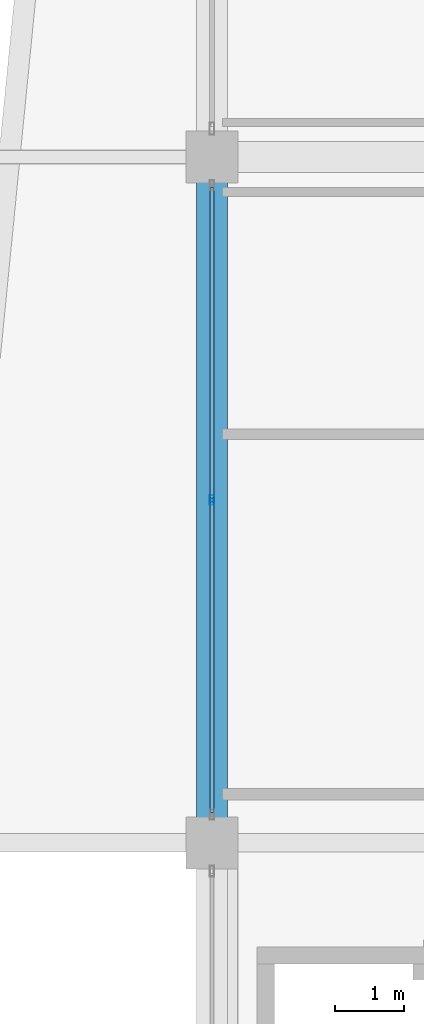
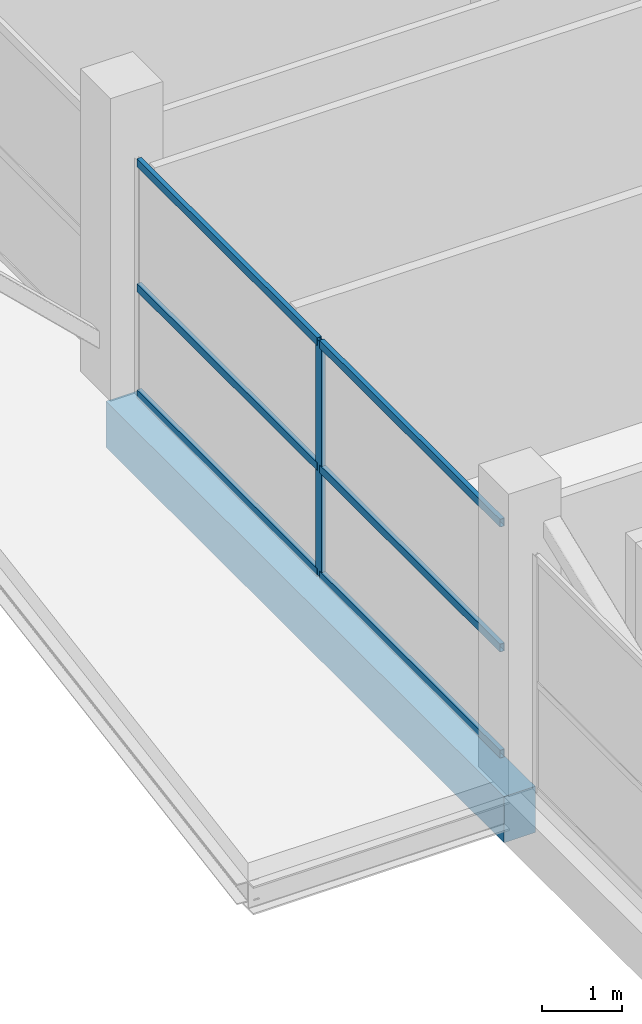
# One storey, part 15 of 58: 7 members, 1 beam, 1 element without a shape of its own.
"""IFC4 building model written with IfcOpenShell, lengths in metres."""

from ifc_helpers import new_model, si_unit, direction, frame, origin, origin_2d, place, context, subcontext, project, spatial, rectangle, hollow_rectangle, extrude, material, layer, layer_set, material_profile, profile_set, type_object, element, aggregate, save


model = new_model("IFC4")

# Units and contexts
model_context = context("Model", 3, precision=1e-05, world=origin(), true_north=direction((0.0, 1.0)))
body_context = subcontext(model_context, "Body", "Model", "MODEL_VIEW")
ifc_project = project(units=[si_unit("LENGTHUNIT", "METRE"), si_unit("AREAUNIT", "SQUARE_METRE"), si_unit("VOLUMEUNIT", "CUBIC_METRE"), si_unit("PLANEANGLEUNIT", "RADIAN"), si_unit("MASSUNIT", "GRAM", prefix="KILO")], contexts=[model_context])

# Site, building, storey
site_placement = place(None, origin())
site = spatial("IfcSite", under=ifc_project, at=site_placement, CompositionType="ELEMENT")
building_placement = place(site_placement, origin())
building = spatial("IfcBuilding", under=site, at=building_placement, Name="Sillaruma Civic Art Gallery", CompositionType="ELEMENT")
storey_placement = place(building_placement, frame((0.0, 0.0, 28.56005859375)))
storey = spatial("IfcBuildingStorey", under=building, at=storey_placement, Name="L05", CompositionType="ELEMENT", Elevation=28.56005859375)

# Beam
ifc_material_1 = material(Name="Concrete H35 (35 MPa)", Category="concrete")
ifc_material_profile_1 = material_profile(ifc_material_1, rectangle(XDim=0.449951171875, YDim=0.699951171875, at=origin_2d()), Name="RCB450x700")
ifc_profile_set_1 = profile_set([ifc_material_profile_1], Name="Concrete H35 (35 MPa)")
beam_type = type_object("IfcBeamType", Name="BM-SPANDREL-RCB450x700", PredefinedType="SPANDREL", material=ifc_profile_set_1)
beam_placement = place(storey_placement, frame((62.0, 49.5, -0.630126953125), z_axis=(0.0, 1.0, 0.0), x_axis=(-1.0, 0.0, 0.0)))
element("IfcBeam", 1, at=beam_placement, inside=storey, type_object=beam_type, Name="Beam BS-03 (L04:F:6-7)", PredefinedType="SPANDREL", context=body_context, shape_type="SweptSolid", body=[
    extrude(rectangle(XDim=0.449951171875, YDim=0.699951171875, at=origin_2d()), origin(), (0.0, 0.0, 1.0), 9.89990234375),
])

# Curtain wall, members
ifc_material_2 = material(Name="Thermally Broken Extruded Aluminium 6063-T6", Category="aluminium")
ifc_layer = layer(ifc_material_2, 0.139892578125, Name="Thermally Broken Extruded Aluminium 6063-T6")
ifc_layer_set = layer_set([ifc_layer], Name="Thermally Broken Extruded Aluminium 6063-T6")
curtain_wall_type = type_object("IfcCurtainWallType", Name="CW-UNI-31", PredefinedType="NOTDEFINED", material=ifc_layer_set)
curtain_wall_placement = place(storey_placement, origin())
curtain_wall = element("IfcCurtainWall", 2, at=curtain_wall_placement, inside=storey, type_object=curtain_wall_type, Name="Unitised Curtain Wall CW-31 (CW-L05-W-4)", PredefinedType="NOTDEFINED")
ifc_material_profile_2 = material_profile(ifc_material_2, hollow_rectangle(XDim=0.06005859375, YDim=0.139892578125, WallThickness=0.00341796875, at=origin_2d()), Name="CWM60x140")
ifc_profile_set_2 = profile_set([ifc_material_profile_2], Name="Thermally Broken Extruded Aluminium 6063-T6")
member_type_1 = type_object("IfcMemberType", Name="MEM-MUL-CWM60x140", PredefinedType="MULLION", material=ifc_profile_set_2)
member_1_placement = place(storey_placement, frame((62.0, 54.449951171875, 0.0), z_axis=(0.0, 0.0, 1.0), x_axis=(-1.0, 0.0, 0.0)))
member_1 = element("IfcMember", 3, at=member_1_placement, type_object=member_type_1, Name="CW-31 mullion 2", PredefinedType="MULLION", context=body_context, shape_type="SweptSolid", body=[
    extrude(hollow_rectangle(XDim=0.06005859375, YDim=0.139892578125, WallThickness=0.00341796875, at=origin_2d()), origin(), (0.0, 0.0, 1.0), 3.56982421875),
])
ifc_material_profile_3 = material_profile(ifc_material_2, hollow_rectangle(XDim=0.06494140625, YDim=0.1201171875, WallThickness=0.00341796875, at=origin_2d()), Name="CWT65x120")
ifc_profile_set_3 = profile_set([ifc_material_profile_3], Name="Thermally Broken Extruded Aluminium 6063-T6")
member_type_2 = type_object("IfcMemberType", Name="MEM-TRN-CWT65x120", PredefinedType="USERDEFINED", material=ifc_profile_set_3)
member_2_placement = place(storey_placement, frame((62.0, 49.93505859375, 0.032470703125), z_axis=(0.0, 1.0, 0.0), x_axis=(-1.0, 0.0, 0.0)))
member_2 = element("IfcMember", 4, at=member_2_placement, type_object=member_type_2, Name="CW-31 transom 1.1", ObjectType="TRANSOM", PredefinedType="USERDEFINED", context=body_context, shape_type="SweptSolid", body=[
    extrude(hollow_rectangle(XDim=0.06494140625, YDim=0.1201171875, WallThickness=0.00341796875, at=origin_2d()), origin(), (0.0, 0.0, 1.0), 4.48486328125),
])
member_3_placement = place(storey_placement, frame((62.0, 49.93505859375, 1.64208984375), z_axis=(0.0, 1.0, 0.0), x_axis=(-1.0, 0.0, 0.0)))
member_3 = element("IfcMember", 5, at=member_3_placement, type_object=member_type_2, Name="CW-31 transom 1.2", ObjectType="TRANSOM", PredefinedType="USERDEFINED", context=body_context, shape_type="SweptSolid", body=[
    extrude(hollow_rectangle(XDim=0.06494140625, YDim=0.1201171875, WallThickness=0.00341796875, at=origin_2d()), origin(), (0.0, 0.0, 1.0), 4.48486328125),
])
member_4_placement = place(storey_placement, frame((62.0, 49.93505859375, 3.537353515625), z_axis=(0.0, 1.0, 0.0), x_axis=(-1.0, 0.0, 0.0)))
member_4 = element("IfcMember", 6, at=member_4_placement, type_object=member_type_2, Name="CW-31 transom 1.3", ObjectType="TRANSOM", PredefinedType="USERDEFINED", context=body_context, shape_type="SweptSolid", body=[
    extrude(hollow_rectangle(XDim=0.06494140625, YDim=0.1201171875, WallThickness=0.00341796875, at=origin_2d()), origin(), (0.0, 0.0, 1.0), 4.48486328125),
])
member_5_placement = place(storey_placement, frame((62.0, 54.47998046875, 0.032470703125), z_axis=(0.0, 1.0, 0.0), x_axis=(-1.0, 0.0, 0.0)))
member_5 = element("IfcMember", 7, at=member_5_placement, type_object=member_type_2, Name="CW-31 transom 2.1", ObjectType="TRANSOM", PredefinedType="USERDEFINED", context=body_context, shape_type="SweptSolid", body=[
    extrude(hollow_rectangle(XDim=0.06494140625, YDim=0.1201171875, WallThickness=0.00341796875, at=origin_2d()), origin(), (0.0, 0.0, 1.0), 4.485107421875),
])
member_6_placement = place(storey_placement, frame((62.0, 54.47998046875, 1.64208984375), z_axis=(0.0, 1.0, 0.0), x_axis=(-1.0, 0.0, 0.0)))
member_6 = element("IfcMember", 8, at=member_6_placement, type_object=member_type_2, Name="CW-31 transom 2.2", ObjectType="TRANSOM", PredefinedType="USERDEFINED", context=body_context, shape_type="SweptSolid", body=[
    extrude(hollow_rectangle(XDim=0.06494140625, YDim=0.1201171875, WallThickness=0.00341796875, at=origin_2d()), origin(), (0.0, 0.0, 1.0), 4.485107421875),
])
member_7_placement = place(storey_placement, frame((62.0, 54.47998046875, 3.537353515625), z_axis=(0.0, 1.0, 0.0), x_axis=(-1.0, 0.0, 0.0)))
member_7 = element("IfcMember", 9, at=member_7_placement, type_object=member_type_2, Name="CW-31 transom 2.3", ObjectType="TRANSOM", PredefinedType="USERDEFINED", context=body_context, shape_type="SweptSolid", body=[
    extrude(hollow_rectangle(XDim=0.06494140625, YDim=0.1201171875, WallThickness=0.00341796875, at=origin_2d()), origin(), (0.0, 0.0, 1.0), 4.485107421875),
])
aggregate(curtain_wall, [member_1, member_2, member_3, member_4, member_5, member_6, member_7])

save(model, "model.ifc")
